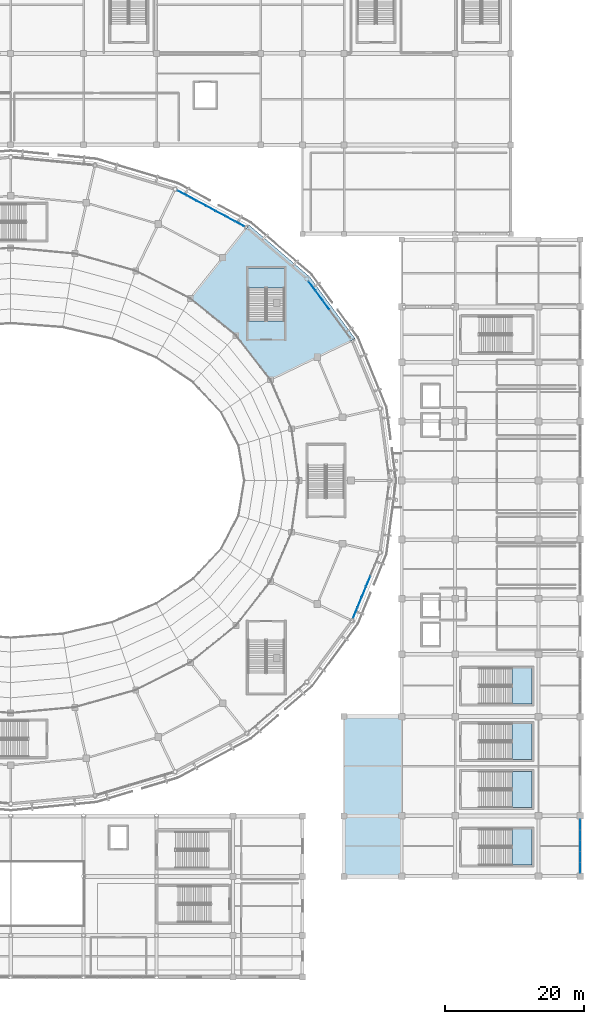
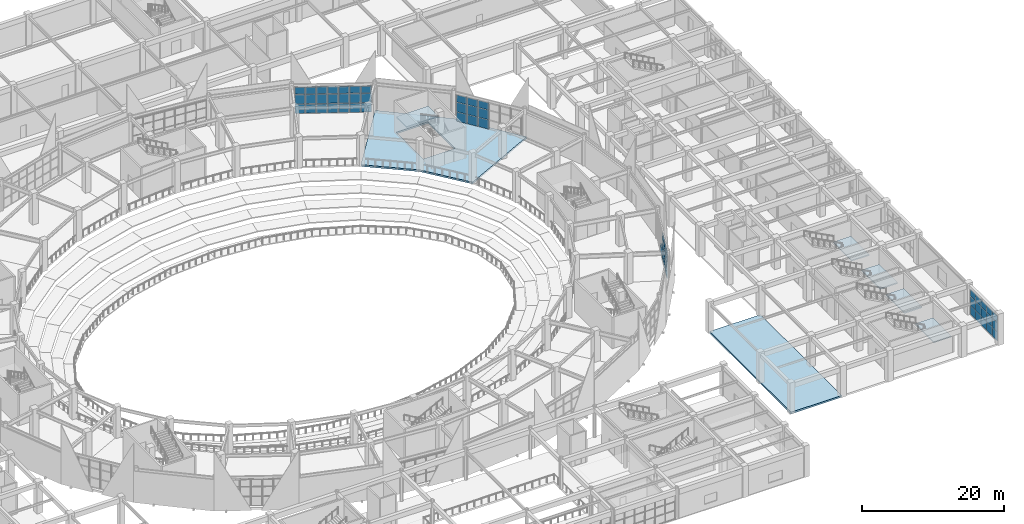
# One storey, part 67 of 120: 55 plates, 7 slabs, 9 elements without a shape of their own.
"""IFC4 building model written with IfcOpenShell, lengths in metres."""

import ifcopenshell
import ifcopenshell.guid

model = None  # the IFC model being written
_history = None  # IfcOwnerHistory: only IFC2X3 demands one
_inside = {}  # id of a spatial element -> (the spatial element, [elements in it])
_under = {}  # id of a project, library or spatial element -> (it, [spatial elements below it])
_declared = {}  # id of a project -> (the project, [libraries it declares])
_typed = {}  # id of a type object -> (the type object, [elements of that type])
_made_of = {}  # id of a material, layer set ... -> (it, [elements and type objects made of it])


def new_model(schema):
    """Start an empty IFC model of exactly this schema.

    Asked for "IFC4X3", IfcOpenShell would pick the latest addendum, in which some entities
    have other attributes; the version numbers below select the first issue.
    IFC2X3 requires an IfcOwnerHistory on every rooted entity: one is made here for all.
    """
    global model, _history
    if schema == "IFC4X3":
        model = ifcopenshell.file(schema_version=(4, 3, 0, 0))
    else:
        model = ifcopenshell.file(schema=schema)
    _inside.clear()
    _under.clear()
    _declared.clear()
    _typed.clear()
    _made_of.clear()
    _history = None
    if model.schema == "IFC2X3":
        org = make("IfcOrganization", Name="unknown")
        user = make(
            "IfcPersonAndOrganization",
            ThePerson=make("IfcPerson", FamilyName="unknown"),
            TheOrganization=org,
        )
        app = make(
            "IfcApplication",
            ApplicationDeveloper=org,
            Version="unknown",
            ApplicationFullName="unknown",
            ApplicationIdentifier="unknown",
        )
        _history = make(
            "IfcOwnerHistory",
            OwningUser=user,
            OwningApplication=app,
            ChangeAction="ADDED",
            CreationDate=0,
        )
    return model


def make(cls, **values):
    """One entity of the class cls with the attributes given. An attribute that is None is left unset."""
    return model.create_entity(
        cls, **{name: value for name, value in values.items() if value is not None}
    )


def rooted(cls, **values):
    """An entity with a GlobalId (a new one), such as an element, a storey or a relation."""
    return make(cls, GlobalId=ifcopenshell.guid.new(), OwnerHistory=_history, **values)


def si_unit(unit_type, name, prefix=None):
    """IfcSIUnit, for example si_unit("LENGTHUNIT", "METRE", prefix="MILLI")."""
    return make("IfcSIUnit", UnitType=unit_type, Prefix=prefix, Name=name)


def assignment(units):
    """IfcUnitAssignment: the units of a project."""
    return None if units is None else make("IfcUnitAssignment", Units=units)


def point(xyz):
    """IfcCartesianPoint."""
    return None if xyz is None else make("IfcCartesianPoint", Coordinates=xyz)


def direction(xyz):
    """IfcDirection."""
    return None if xyz is None else make("IfcDirection", DirectionRatios=xyz)


def frame(location, z_axis=None, x_axis=None):
    """IfcAxis2Placement3D, a coordinate frame: its origin and axes. An axis left out is left unset."""
    return make(
        "IfcAxis2Placement3D",
        Location=point(location),
        Axis=direction(z_axis),
        RefDirection=direction(x_axis),
    )


def frame_2d(location, x_axis=None):
    """IfcAxis2Placement2D, a coordinate frame in the plane: its origin and x axis."""
    return make(
        "IfcAxis2Placement2D", Location=point(location), RefDirection=direction(x_axis)
    )


def origin():
    """The frame at (0, 0, 0) with its axes left unset."""
    return frame((0.0, 0.0, 0.0))


def origin_2d():
    """The frame at (0, 0) in the plane with its x axis left unset."""
    return frame_2d((0.0, 0.0))


def place(relative_to, where):
    """IfcLocalPlacement: puts the frame where relative to a parent placement (None: the world)."""
    return make(
        "IfcLocalPlacement", PlacementRelTo=relative_to, RelativePlacement=where
    )


def context(
    kind, dimensions, precision=None, world=None, true_north=None, identifier=None
):
    """IfcGeometricRepresentationContext, for example the 3D "Model" context."""
    return make(
        "IfcGeometricRepresentationContext",
        ContextIdentifier=identifier,
        ContextType=kind,
        CoordinateSpaceDimension=dimensions,
        Precision=precision,
        WorldCoordinateSystem=world,
        TrueNorth=true_north,
    )


def subcontext(parent, identifier, kind, view, scale=None):
    """IfcGeometricRepresentationSubContext, for example "Body" below "Model"."""
    return make(
        "IfcGeometricRepresentationSubContext",
        ContextIdentifier=identifier,
        ContextType=kind,
        ParentContext=parent,
        TargetScale=scale,
        TargetView=view,
    )


def project(units=None, contexts=None):
    """IfcProject with its units and contexts."""
    return rooted(
        "IfcProject",
        Name="project",
        RepresentationContexts=contexts,
        UnitsInContext=assignment(units),
    )


def spatial(cls, under=None, at=None, **own):
    """A site, building, storey or space (cls), placed at a placement, below another one or the project."""
    s = rooted(cls, ObjectPlacement=at, **own)
    if under is not None:
        _under.setdefault(under.id(), (under, []))[1].append(s)
    return s


def polyline(points):
    """IfcPolyline through the points."""
    return make("IfcPolyline", Points=[point(p) for p in points])


def profile(cls, at=None, kind="AREA", **sizes):
    """A parametric profile (cls). Its sizes go by their IFC names, for example OverallWidth=200.0."""
    return make(cls, ProfileType=kind, Position=at, **sizes)


def rectangle(**sizes):
    """IfcRectangleProfileDef."""
    return profile("IfcRectangleProfileDef", **sizes)


def outline(outer, holes=None, kind="AREA"):
    """IfcArbitraryClosedProfileDef: a profile drawn as a closed curve; with holes, ...WithVoids."""
    if holes is None:
        return make("IfcArbitraryClosedProfileDef", ProfileType=kind, OuterCurve=outer)
    return make(
        "IfcArbitraryProfileDefWithVoids",
        ProfileType=kind,
        OuterCurve=outer,
        InnerCurves=holes,
    )


def extrude(swept, where, along, depth):
    """IfcExtrudedAreaSolid: the profile swept, set in the frame where, extruded along a direction by depth."""
    return make(
        "IfcExtrudedAreaSolid",
        SweptArea=swept,
        Position=where,
        ExtrudedDirection=direction(along),
        Depth=depth,
    )


def shape(context_of_items, identifier, shape_type, items):
    """IfcShapeRepresentation: the items that make up one representation, for example the "Body"."""
    return make(
        "IfcShapeRepresentation",
        ContextOfItems=context_of_items,
        RepresentationIdentifier=identifier,
        RepresentationType=shape_type,
        Items=items,
    )


def material(Name=None, Category=None):
    """IfcMaterial."""
    return make("IfcMaterial", Name=Name, Category=Category)


def layer(
    of_material, thickness, ventilated=None, Name=None, Category=None, Priority=None
):
    """IfcMaterialLayer: one layer of a wall or slab, of a material (None: an air gap)."""
    return make(
        "IfcMaterialLayer",
        Material=of_material,
        LayerThickness=thickness,
        IsVentilated=ventilated,
        Name=Name,
        Category=Category,
        Priority=Priority,
    )


def layer_set(layers, Name=None):
    """IfcMaterialLayerSet."""
    return make("IfcMaterialLayerSet", MaterialLayers=layers, LayerSetName=Name)


def made_of(thing, what):
    """Note that an element or type object is made of a material, layer set ...; save() writes the relation."""
    if what is not None:
        _made_of.setdefault(what.id(), (what, []))[1].append(thing)
    return thing


def type_object(cls, material=None, **own):
    """A type object (cls), such as IfcWallType, which elements share."""
    return made_of(rooted(cls, **own), material)


def element(
    cls,
    number,
    at=None,
    inside=None,
    cuts=None,
    type_object=None,
    material=None,
    context=None,
    identifier="Body",
    shape_type=None,
    held_by="IfcProductDefinitionShape",
    body=None,
    shapes=None,
    **own,
):
    """One element of the class cls, such as IfcWall. Its Tag is "e" and its number.

    at: its placement. inside: the storey or other place that contains it. cuts: it is an
    opening in that element (IfcRelVoidsElement). A single representation is given by context,
    identifier, shape_type and body (its items); several are given by shapes. held_by: the class
    of the entity that holds the representations. save() writes the other relations.
    """
    e = rooted(cls, Tag="e%d" % number, ObjectPlacement=at, **own)
    if body is not None:
        shapes = [shape(context, identifier, shape_type, body)]
    if shapes is not None:
        e.Representation = make(held_by, Representations=shapes)
    if inside is not None:
        _inside.setdefault(inside.id(), (inside, []))[1].append(e)
    if cuts is not None:
        rooted(
            "IfcRelVoidsElement", RelatingBuildingElement=cuts, RelatedOpeningElement=e
        )
    if type_object is not None:
        _typed.setdefault(type_object.id(), (type_object, []))[1].append(e)
    return made_of(e, material)


def aggregate(whole, parts):
    """IfcRelAggregates: a whole, such as a stair, and the parts it consists of."""
    return rooted("IfcRelAggregates", RelatingObject=whole, RelatedObjects=parts)


def save(model, path):
    """Write the relations noted so far, then the file.

    IfcRelAggregates (storeys below a building ...), IfcRelContainedInSpatialStructure (elements
    in a storey), IfcRelDefinesByType, IfcRelAssociatesMaterial and IfcRelDeclares: one each for
    every whole, place, type object, material and project.
    """
    for whole, parts in _under.values():
        aggregate(whole, parts)
    for where, things in _inside.values():
        rooted(
            "IfcRelContainedInSpatialStructure",
            RelatedElements=things,
            RelatingStructure=where,
        )
    for kind, things in _typed.values():
        rooted("IfcRelDefinesByType", RelatedObjects=things, RelatingType=kind)
    for what, things in _made_of.values():
        rooted("IfcRelAssociatesMaterial", RelatedObjects=things, RelatingMaterial=what)
    for by, libraries in _declared.values():
        rooted("IfcRelDeclares", RelatingContext=by, RelatedDefinitions=libraries)
    model.write(path)


model = new_model("IFC4")

# Units and contexts
model_context = context("Model", 3, precision=1e-05, world=origin(), true_north=direction((0.0, 1.0)))
body_context = subcontext(model_context, "Body", "Model", "MODEL_VIEW")
ifc_project = project(units=[si_unit("LENGTHUNIT", "METRE"), si_unit("AREAUNIT", "SQUARE_METRE"), si_unit("VOLUMEUNIT", "CUBIC_METRE"), si_unit("PLANEANGLEUNIT", "RADIAN"), si_unit("MASSUNIT", "GRAM", prefix="KILO")], contexts=[model_context])

# Site, building, storey
site_placement = place(None, origin())
site = spatial("IfcSite", under=ifc_project, at=site_placement, CompositionType="ELEMENT")
building_placement = place(site_placement, origin())
building = spatial("IfcBuilding", under=site, at=building_placement, Name="Cuetzalor Civic Arena", CompositionType="ELEMENT")
storey_placement = place(building_placement, frame((0.0, 0.0, 6.0)))
storey = spatial("IfcBuildingStorey", under=building, at=storey_placement, Name="L01", CompositionType="ELEMENT", Elevation=6.0)

# Curtain wall, plates
ifc_material_1 = material(Name="Anodised dark bronze aluminium and low-E solar glass", Category="aluminium")
curtain_wall_type_1 = type_object("IfcCurtainWallType", Name="UnitisedCW_10150x4650", PredefinedType="USERDEFINED", material=ifc_material_1)
curtain_wall_1_placement = place(storey_placement, origin())
curtain_wall_1 = element("IfcCurtainWall", 1, at=curtain_wall_1_placement, inside=storey, type_object=curtain_wall_type_1, Name="Drum Triangle Foyer Curtain Wall L01-021", ObjectType="UNITISED CURTAIN WALL", PredefinedType="USERDEFINED")
ifc_material_2 = material(Name="Acoustic laminated solar control glass", Category="glass")
ifc_layer_1 = layer(ifc_material_2, 0.0439453125)
ifc_layer_set_1 = layer_set([ifc_layer_1], Name="Acoustic laminated solar control glass")
plate_type = type_object("IfcPlateType", Name="AcousticTripleGlazedPanel_44", PredefinedType="CURTAIN_PANEL", material=ifc_layer_set_1)
plate_1_placement = place(storey_placement, frame((43.402587890625, 27.999755859375, 0.06982421875), z_axis=(0.0, 0.0, 1.0), x_axis=(0.59292931222, -0.805254513002, 0.0)))
plate_1 = element("IfcPlate", 2, at=plate_1_placement, type_object=plate_type, Name="CW-06 panel 1.1", PredefinedType="CURTAIN_PANEL", context=body_context, shape_type="SweptSolid", body=[
    extrude(rectangle(XDim=1.585693359375, YDim=0.0439453125, at=origin_2d()), origin(), (0.0, 0.0, 1.0), 1.570068359375),
])
plate_2_placement = place(storey_placement, frame((43.402587890625, 27.999755859375, 1.7099609375), z_axis=(0.0, 0.0, 1.0), x_axis=(0.59292931222, -0.805254513002, 0.0)))
plate_2 = element("IfcPlate", 3, at=plate_2_placement, type_object=plate_type, Name="CW-06 panel 1.2", PredefinedType="CURTAIN_PANEL", context=body_context, shape_type="SweptSolid", body=[
    extrude(rectangle(XDim=1.585693359375, YDim=0.0439453125, at=origin_2d()), origin(), (0.0, 0.0, 1.0), 1.60498046875),
])
plate_3_placement = place(storey_placement, frame((43.402587890625, 27.999755859375, 3.384765625), z_axis=(0.0, 0.0, 1.0), x_axis=(0.59292931222, -0.805254513002, 0.0)))
plate_3 = element("IfcPlate", 4, at=plate_3_placement, type_object=plate_type, Name="CW-06 panel 1.3", PredefinedType="CURTAIN_PANEL", context=body_context, shape_type="SweptSolid", body=[
    extrude(rectangle(XDim=1.585693359375, YDim=0.0439453125, at=origin_2d()), origin(), (0.0, 0.0, 1.0), 1.197998046875),
])
plate_4_placement = place(storey_placement, frame((44.394775390625, 26.652587890625, 0.06982421875), z_axis=(0.0, 0.0, 1.0), x_axis=(0.59292931222, -0.805254513002, 0.0)))
plate_4 = element("IfcPlate", 5, at=plate_4_placement, type_object=plate_type, Name="CW-06 panel 2.1", PredefinedType="CURTAIN_PANEL", context=body_context, shape_type="SweptSolid", body=[
    extrude(rectangle(XDim=1.62060546875, YDim=0.0439453125, at=origin_2d()), origin(), (0.0, 0.0, 1.0), 1.570068359375),
])
plate_5_placement = place(storey_placement, frame((44.394775390625, 26.652587890625, 1.7099609375), z_axis=(0.0, 0.0, 1.0), x_axis=(0.59292931222, -0.805254513002, 0.0)))
plate_5 = element("IfcPlate", 6, at=plate_5_placement, type_object=plate_type, Name="CW-06 panel 2.2", PredefinedType="CURTAIN_PANEL", context=body_context, shape_type="SweptSolid", body=[
    extrude(rectangle(XDim=1.62060546875, YDim=0.0439453125, at=origin_2d()), origin(), (0.0, 0.0, 1.0), 1.60498046875),
])
plate_6_placement = place(storey_placement, frame((44.394775390625, 26.652587890625, 3.384765625), z_axis=(0.0, 0.0, 1.0), x_axis=(0.59292931222, -0.805254513002, 0.0)))
plate_6 = element("IfcPlate", 7, at=plate_6_placement, type_object=plate_type, Name="CW-06 panel 2.3", PredefinedType="CURTAIN_PANEL", context=body_context, shape_type="SweptSolid", body=[
    extrude(rectangle(XDim=1.62060546875, YDim=0.0439453125, at=origin_2d()), origin(), (0.0, 0.0, 1.0), 1.197998046875),
])
plate_7_placement = place(storey_placement, frame((45.397216796875, 25.291015625, 0.06982421875), z_axis=(0.0, 0.0, 1.0), x_axis=(0.59292931222, -0.805254513002, 0.0)))
plate_7 = element("IfcPlate", 8, at=plate_7_placement, type_object=plate_type, Name="CW-06 panel 3.1", PredefinedType="CURTAIN_PANEL", context=body_context, shape_type="SweptSolid", body=[
    extrude(rectangle(XDim=1.62060546875, YDim=0.0439453125, at=origin_2d()), origin(), (0.0, 0.0, 1.0), 1.570068359375),
])
plate_8_placement = place(storey_placement, frame((45.397216796875, 25.291015625, 1.7099609375), z_axis=(0.0, 0.0, 1.0), x_axis=(0.59292931222, -0.805254513002, 0.0)))
plate_8 = element("IfcPlate", 9, at=plate_8_placement, type_object=plate_type, Name="CW-06 panel 3.2", PredefinedType="CURTAIN_PANEL", context=body_context, shape_type="SweptSolid", body=[
    extrude(rectangle(XDim=1.62060546875, YDim=0.0439453125, at=origin_2d()), origin(), (0.0, 0.0, 1.0), 1.60498046875),
])
plate_9_placement = place(storey_placement, frame((45.397216796875, 25.291015625, 3.384765625), z_axis=(0.0, 0.0, 1.0), x_axis=(0.59292931222, -0.805254513002, 0.0)))
plate_9 = element("IfcPlate", 10, at=plate_9_placement, type_object=plate_type, Name="CW-06 panel 3.3", PredefinedType="CURTAIN_PANEL", context=body_context, shape_type="SweptSolid", body=[
    extrude(rectangle(XDim=1.62060546875, YDim=0.0439453125, at=origin_2d()), origin(), (0.0, 0.0, 1.0), 1.197998046875),
])
aggregate(curtain_wall_1, [plate_1, plate_2, plate_3, plate_4, plate_5, plate_6, plate_7, plate_8, plate_9])

ifc_material_3 = material(Name="Anodised dark bronze aluminium and low-E solar glass", Category="aluminium")
curtain_wall_type_2 = type_object("IfcCurtainWallType", Name="UnitisedCW_10950x4650", PredefinedType="USERDEFINED", material=ifc_material_3)
curtain_wall_2_placement = place(storey_placement, origin())
curtain_wall_2 = element("IfcCurtainWall", 11, at=curtain_wall_2_placement, inside=storey, type_object=curtain_wall_type_2, Name="Drum Triangle Foyer Curtain Wall L01-022", ObjectType="UNITISED CURTAIN WALL", PredefinedType="USERDEFINED")
plate_10_placement = place(storey_placement, frame((24.720947265625, 41.375732421875, 0.06982421875), z_axis=(0.0, 0.0, 1.0), x_axis=(0.881306344124, -0.472545371163, 0.0)))
plate_10 = element("IfcPlate", 12, at=plate_10_placement, type_object=plate_type, Name="CW-07 panel 1.1", PredefinedType="CURTAIN_PANEL", context=body_context, shape_type="SweptSolid", body=[
    extrude(rectangle(XDim=1.458740234375, YDim=0.0439453125, at=origin_2d()), origin(), (0.0, 0.0, 1.0), 1.570068359375),
])
plate_11_placement = place(storey_placement, frame((24.720947265625, 41.375732421875, 1.7099609375), z_axis=(0.0, 0.0, 1.0), x_axis=(0.881306344124, -0.472545371163, 0.0)))
plate_11 = element("IfcPlate", 13, at=plate_11_placement, type_object=plate_type, Name="CW-07 panel 1.2", PredefinedType="CURTAIN_PANEL", context=body_context, shape_type="SweptSolid", body=[
    extrude(rectangle(XDim=1.458740234375, YDim=0.0439453125, at=origin_2d()), origin(), (0.0, 0.0, 1.0), 1.60498046875),
])
plate_12_placement = place(storey_placement, frame((24.720947265625, 41.375732421875, 3.384765625), z_axis=(0.0, 0.0, 1.0), x_axis=(0.881306344124, -0.472545371163, 0.0)))
plate_12 = element("IfcPlate", 14, at=plate_12_placement, type_object=plate_type, Name="CW-07 panel 1.3", PredefinedType="CURTAIN_PANEL", context=body_context, shape_type="SweptSolid", body=[
    extrude(rectangle(XDim=1.458740234375, YDim=0.0439453125, at=origin_2d()), origin(), (0.0, 0.0, 1.0), 1.197998046875),
])
plate_13_placement = place(storey_placement, frame((26.08349609375, 40.64501953125, 0.06982421875), z_axis=(0.0, 0.0, 1.0), x_axis=(0.881306344124, -0.472545371163, 0.0)))
plate_13 = element("IfcPlate", 15, at=plate_13_placement, type_object=plate_type, Name="CW-07 panel 2.1", PredefinedType="CURTAIN_PANEL", context=body_context, shape_type="SweptSolid", body=[
    extrude(rectangle(XDim=1.49365234375, YDim=0.0439453125, at=origin_2d()), origin(), (0.0, 0.0, 1.0), 1.570068359375),
])
plate_14_placement = place(storey_placement, frame((26.08349609375, 40.64501953125, 1.7099609375), z_axis=(0.0, 0.0, 1.0), x_axis=(0.881306344124, -0.472545371163, 0.0)))
plate_14 = element("IfcPlate", 16, at=plate_14_placement, type_object=plate_type, Name="CW-07 panel 2.2", PredefinedType="CURTAIN_PANEL", context=body_context, shape_type="SweptSolid", body=[
    extrude(rectangle(XDim=1.49365234375, YDim=0.0439453125, at=origin_2d()), origin(), (0.0, 0.0, 1.0), 1.60498046875),
])
plate_15_placement = place(storey_placement, frame((26.08349609375, 40.64501953125, 3.384765625), z_axis=(0.0, 0.0, 1.0), x_axis=(0.881306344124, -0.472545371163, 0.0)))
plate_15 = element("IfcPlate", 17, at=plate_15_placement, type_object=plate_type, Name="CW-07 panel 2.3", PredefinedType="CURTAIN_PANEL", context=body_context, shape_type="SweptSolid", body=[
    extrude(rectangle(XDim=1.49365234375, YDim=0.0439453125, at=origin_2d()), origin(), (0.0, 0.0, 1.0), 1.197998046875),
])
plate_16_placement = place(storey_placement, frame((27.461669921875, 39.90625, 0.06982421875), z_axis=(0.0, 0.0, 1.0), x_axis=(0.881306344124, -0.472545371163, 0.0)))
plate_16 = element("IfcPlate", 18, at=plate_16_placement, type_object=plate_type, Name="CW-07 panel 3.1", PredefinedType="CURTAIN_PANEL", context=body_context, shape_type="SweptSolid", body=[
    extrude(rectangle(XDim=1.49365234375, YDim=0.0439453125, at=origin_2d()), origin(), (0.0, 0.0, 1.0), 1.570068359375),
])
plate_17_placement = place(storey_placement, frame((27.461669921875, 39.90625, 1.7099609375), z_axis=(0.0, 0.0, 1.0), x_axis=(0.881306344124, -0.472545371163, 0.0)))
plate_17 = element("IfcPlate", 19, at=plate_17_placement, type_object=plate_type, Name="CW-07 panel 3.2", PredefinedType="CURTAIN_PANEL", context=body_context, shape_type="SweptSolid", body=[
    extrude(rectangle(XDim=1.49365234375, YDim=0.0439453125, at=origin_2d()), origin(), (0.0, 0.0, 1.0), 1.60498046875),
])
plate_18_placement = place(storey_placement, frame((27.461669921875, 39.90625, 3.384765625), z_axis=(0.0, 0.0, 1.0), x_axis=(0.881306344124, -0.472545371163, 0.0)))
plate_18 = element("IfcPlate", 20, at=plate_18_placement, type_object=plate_type, Name="CW-07 panel 3.3", PredefinedType="CURTAIN_PANEL", context=body_context, shape_type="SweptSolid", body=[
    extrude(rectangle(XDim=1.49365234375, YDim=0.0439453125, at=origin_2d()), origin(), (0.0, 0.0, 1.0), 1.197998046875),
])
plate_19_placement = place(storey_placement, frame((28.83984375, 39.167236328125, 0.06982421875), z_axis=(0.0, 0.0, 1.0), x_axis=(0.881306344124, -0.472545371163, 0.0)))
plate_19 = element("IfcPlate", 21, at=plate_19_placement, type_object=plate_type, Name="CW-07 panel 4.1", PredefinedType="CURTAIN_PANEL", context=body_context, shape_type="SweptSolid", body=[
    extrude(rectangle(XDim=1.49365234375, YDim=0.0439453125, at=origin_2d()), origin(), (0.0, 0.0, 1.0), 1.570068359375),
])
plate_20_placement = place(storey_placement, frame((28.83984375, 39.167236328125, 1.7099609375), z_axis=(0.0, 0.0, 1.0), x_axis=(0.881306344124, -0.472545371163, 0.0)))
plate_20 = element("IfcPlate", 22, at=plate_20_placement, type_object=plate_type, Name="CW-07 panel 4.2", PredefinedType="CURTAIN_PANEL", context=body_context, shape_type="SweptSolid", body=[
    extrude(rectangle(XDim=1.49365234375, YDim=0.0439453125, at=origin_2d()), origin(), (0.0, 0.0, 1.0), 1.60498046875),
])
plate_21_placement = place(storey_placement, frame((28.83984375, 39.167236328125, 3.384765625), z_axis=(0.0, 0.0, 1.0), x_axis=(0.881306344124, -0.472545371163, 0.0)))
plate_21 = element("IfcPlate", 23, at=plate_21_placement, type_object=plate_type, Name="CW-07 panel 4.3", PredefinedType="CURTAIN_PANEL", context=body_context, shape_type="SweptSolid", body=[
    extrude(rectangle(XDim=1.49365234375, YDim=0.0439453125, at=origin_2d()), origin(), (0.0, 0.0, 1.0), 1.197998046875),
])
plate_22_placement = place(storey_placement, frame((30.218017578125, 38.42822265625, 0.06982421875), z_axis=(0.0, 0.0, 1.0), x_axis=(0.881306344124, -0.472545371163, 0.0)))
plate_22 = element("IfcPlate", 24, at=plate_22_placement, type_object=plate_type, Name="CW-07 panel 5.1", PredefinedType="CURTAIN_PANEL", context=body_context, shape_type="SweptSolid", body=[
    extrude(rectangle(XDim=1.49365234375, YDim=0.0439453125, at=origin_2d()), origin(), (0.0, 0.0, 1.0), 1.570068359375),
])
plate_23_placement = place(storey_placement, frame((30.218017578125, 38.42822265625, 1.7099609375), z_axis=(0.0, 0.0, 1.0), x_axis=(0.881306344124, -0.472545371163, 0.0)))
plate_23 = element("IfcPlate", 25, at=plate_23_placement, type_object=plate_type, Name="CW-07 panel 5.2", PredefinedType="CURTAIN_PANEL", context=body_context, shape_type="SweptSolid", body=[
    extrude(rectangle(XDim=1.49365234375, YDim=0.0439453125, at=origin_2d()), origin(), (0.0, 0.0, 1.0), 1.60498046875),
])
plate_24_placement = place(storey_placement, frame((30.218017578125, 38.42822265625, 3.384765625), z_axis=(0.0, 0.0, 1.0), x_axis=(0.881306344124, -0.472545371163, 0.0)))
plate_24 = element("IfcPlate", 26, at=plate_24_placement, type_object=plate_type, Name="CW-07 panel 5.3", PredefinedType="CURTAIN_PANEL", context=body_context, shape_type="SweptSolid", body=[
    extrude(rectangle(XDim=1.49365234375, YDim=0.0439453125, at=origin_2d()), origin(), (0.0, 0.0, 1.0), 1.197998046875),
])
plate_25_placement = place(storey_placement, frame((31.59619140625, 37.689208984375, 0.06982421875), z_axis=(0.0, 0.0, 1.0), x_axis=(0.881306344124, -0.472545371163, 0.0)))
plate_25 = element("IfcPlate", 27, at=plate_25_placement, type_object=plate_type, Name="CW-07 panel 6.1", PredefinedType="CURTAIN_PANEL", context=body_context, shape_type="SweptSolid", body=[
    extrude(rectangle(XDim=1.49365234375, YDim=0.0439453125, at=origin_2d()), origin(), (0.0, 0.0, 1.0), 1.570068359375),
])
plate_26_placement = place(storey_placement, frame((31.59619140625, 37.689208984375, 1.7099609375), z_axis=(0.0, 0.0, 1.0), x_axis=(0.881306344124, -0.472545371163, 0.0)))
plate_26 = element("IfcPlate", 28, at=plate_26_placement, type_object=plate_type, Name="CW-07 panel 6.2", PredefinedType="CURTAIN_PANEL", context=body_context, shape_type="SweptSolid", body=[
    extrude(rectangle(XDim=1.49365234375, YDim=0.0439453125, at=origin_2d()), origin(), (0.0, 0.0, 1.0), 1.60498046875),
])
plate_27_placement = place(storey_placement, frame((31.59619140625, 37.689208984375, 3.384765625), z_axis=(0.0, 0.0, 1.0), x_axis=(0.881306344124, -0.472545371163, 0.0)))
plate_27 = element("IfcPlate", 29, at=plate_27_placement, type_object=plate_type, Name="CW-07 panel 6.3", PredefinedType="CURTAIN_PANEL", context=body_context, shape_type="SweptSolid", body=[
    extrude(rectangle(XDim=1.49365234375, YDim=0.0439453125, at=origin_2d()), origin(), (0.0, 0.0, 1.0), 1.197998046875),
])
plate_28_placement = place(storey_placement, frame((32.958984375, 36.958740234375, 0.06982421875), z_axis=(0.0, 0.0, 1.0), x_axis=(0.881306344124, -0.472545371163, 0.0)))
plate_28 = element("IfcPlate", 30, at=plate_28_placement, type_object=plate_type, Name="CW-07 panel 7.1", PredefinedType="CURTAIN_PANEL", context=body_context, shape_type="SweptSolid", body=[
    extrude(rectangle(XDim=1.458740234375, YDim=0.0439453125, at=origin_2d()), origin(), (0.0, 0.0, 1.0), 1.570068359375),
])
plate_29_placement = place(storey_placement, frame((32.958984375, 36.958740234375, 1.7099609375), z_axis=(0.0, 0.0, 1.0), x_axis=(0.881306344124, -0.472545371163, 0.0)))
plate_29 = element("IfcPlate", 31, at=plate_29_placement, type_object=plate_type, Name="CW-07 panel 7.2", PredefinedType="CURTAIN_PANEL", context=body_context, shape_type="SweptSolid", body=[
    extrude(rectangle(XDim=1.458740234375, YDim=0.0439453125, at=origin_2d()), origin(), (0.0, 0.0, 1.0), 1.60498046875),
])
plate_30_placement = place(storey_placement, frame((32.958984375, 36.958740234375, 3.384765625), z_axis=(0.0, 0.0, 1.0), x_axis=(0.881306344124, -0.472545371163, 0.0)))
plate_30 = element("IfcPlate", 32, at=plate_30_placement, type_object=plate_type, Name="CW-07 panel 7.3", PredefinedType="CURTAIN_PANEL", context=body_context, shape_type="SweptSolid", body=[
    extrude(rectangle(XDim=1.458740234375, YDim=0.0439453125, at=origin_2d()), origin(), (0.0, 0.0, 1.0), 1.197998046875),
])
aggregate(curtain_wall_2, [plate_10, plate_11, plate_12, plate_13, plate_14, plate_15, plate_16, plate_17, plate_18, plate_19, plate_20, plate_21, plate_22, plate_23, plate_24, plate_25, plate_26, plate_27, plate_28, plate_29, plate_30])

ifc_material_4 = material(Name="Anodised dark bronze aluminium and low-E solar glass", Category="aluminium")
curtain_wall_type_3 = type_object("IfcCurtainWallType", Name="UnitisedCW_9850x4650", PredefinedType="USERDEFINED", material=ifc_material_4)
curtain_wall_3_placement = place(storey_placement, origin())
curtain_wall_3 = element("IfcCurtainWall", 33, at=curtain_wall_3_placement, inside=storey, type_object=curtain_wall_type_3, Name="Drum Triangle Foyer Curtain Wall L01-032", ObjectType="UNITISED CURTAIN WALL", PredefinedType="USERDEFINED")
plate_31_placement = place(storey_placement, frame((51.477294921875, -14.516357421875, 0.06982421875), z_axis=(0.0, 0.0, 1.0), x_axis=(-0.379391428583, -0.925236263836, 0.0)))
plate_31 = element("IfcPlate", 34, at=plate_31_placement, type_object=plate_type, Name="CW-11 panel 3.1", PredefinedType="CURTAIN_PANEL", context=body_context, shape_type="SweptSolid", body=[
    extrude(rectangle(XDim=1.57568359375, YDim=0.0439453125, at=origin_2d()), origin(), (0.0, 0.0, 1.0), 1.570068359375),
])
plate_32_placement = place(storey_placement, frame((50.85302734375, -16.0390625, 0.06982421875), z_axis=(0.0, 0.0, 1.0), x_axis=(-0.379391428583, -0.925236263836, 0.0)))
plate_32 = element("IfcPlate", 35, at=plate_32_placement, type_object=plate_type, Name="CW-11 panel 4.1", PredefinedType="CURTAIN_PANEL", context=body_context, shape_type="SweptSolid", body=[
    extrude(rectangle(XDim=1.57568359375, YDim=0.0439453125, at=origin_2d()), origin(), (0.0, 0.0, 1.0), 1.570068359375),
])
plate_33_placement = place(storey_placement, frame((50.85302734375, -16.0390625, 1.7099609375), z_axis=(0.0, 0.0, 1.0), x_axis=(-0.379391428583, -0.925236263836, 0.0)))
plate_33 = element("IfcPlate", 36, at=plate_33_placement, type_object=plate_type, Name="CW-11 panel 4.2", PredefinedType="CURTAIN_PANEL", context=body_context, shape_type="SweptSolid", body=[
    extrude(rectangle(XDim=1.57568359375, YDim=0.0439453125, at=origin_2d()), origin(), (0.0, 0.0, 1.0), 1.60498046875),
])
plate_34_placement = place(storey_placement, frame((50.85302734375, -16.0390625, 3.384765625), z_axis=(0.0, 0.0, 1.0), x_axis=(-0.379391428583, -0.925236263836, 0.0)))
plate_34 = element("IfcPlate", 37, at=plate_34_placement, type_object=plate_type, Name="CW-11 panel 4.3", PredefinedType="CURTAIN_PANEL", context=body_context, shape_type="SweptSolid", body=[
    extrude(rectangle(XDim=1.57568359375, YDim=0.0439453125, at=origin_2d()), origin(), (0.0, 0.0, 1.0), 1.197998046875),
])
plate_35_placement = place(storey_placement, frame((50.228515625, -17.561767578125, 0.06982421875), z_axis=(0.0, 0.0, 1.0), x_axis=(-0.379391428583, -0.925236263836, 0.0)))
plate_35 = element("IfcPlate", 38, at=plate_35_placement, type_object=plate_type, Name="CW-11 panel 5.1", PredefinedType="CURTAIN_PANEL", context=body_context, shape_type="SweptSolid", body=[
    extrude(rectangle(XDim=1.57568359375, YDim=0.0439453125, at=origin_2d()), origin(), (0.0, 0.0, 1.0), 1.570068359375),
])
plate_36_placement = place(storey_placement, frame((50.228515625, -17.561767578125, 1.7099609375), z_axis=(0.0, 0.0, 1.0), x_axis=(-0.379391428583, -0.925236263836, 0.0)))
plate_36 = element("IfcPlate", 39, at=plate_36_placement, type_object=plate_type, Name="CW-11 panel 5.2", PredefinedType="CURTAIN_PANEL", context=body_context, shape_type="SweptSolid", body=[
    extrude(rectangle(XDim=1.57568359375, YDim=0.0439453125, at=origin_2d()), origin(), (0.0, 0.0, 1.0), 1.60498046875),
])
plate_37_placement = place(storey_placement, frame((50.228515625, -17.561767578125, 3.384765625), z_axis=(0.0, 0.0, 1.0), x_axis=(-0.379391428583, -0.925236263836, 0.0)))
plate_37 = element("IfcPlate", 40, at=plate_37_placement, type_object=plate_type, Name="CW-11 panel 5.3", PredefinedType="CURTAIN_PANEL", context=body_context, shape_type="SweptSolid", body=[
    extrude(rectangle(XDim=1.57568359375, YDim=0.0439453125, at=origin_2d()), origin(), (0.0, 0.0, 1.0), 1.197998046875),
])
plate_38_placement = place(storey_placement, frame((49.61083984375, -19.068359375, 0.06982421875), z_axis=(0.0, 0.0, 1.0), x_axis=(-0.379391428583, -0.925236263836, 0.0)))
plate_38 = element("IfcPlate", 41, at=plate_38_placement, type_object=plate_type, Name="CW-11 panel 6.1", PredefinedType="CURTAIN_PANEL", context=body_context, shape_type="SweptSolid", body=[
    extrude(rectangle(XDim=1.540771484375, YDim=0.0439453125, at=origin_2d()), origin(), (0.0, 0.0, 1.0), 1.570068359375),
])
plate_39_placement = place(storey_placement, frame((49.61083984375, -19.068359375, 1.7099609375), z_axis=(0.0, 0.0, 1.0), x_axis=(-0.379391428583, -0.925236263836, 0.0)))
plate_39 = element("IfcPlate", 42, at=plate_39_placement, type_object=plate_type, Name="CW-11 panel 6.2", PredefinedType="CURTAIN_PANEL", context=body_context, shape_type="SweptSolid", body=[
    extrude(rectangle(XDim=1.540771484375, YDim=0.0439453125, at=origin_2d()), origin(), (0.0, 0.0, 1.0), 1.60498046875),
])
plate_40_placement = place(storey_placement, frame((49.61083984375, -19.068359375, 3.384765625), z_axis=(0.0, 0.0, 1.0), x_axis=(-0.379391428583, -0.925236263836, 0.0)))
plate_40 = element("IfcPlate", 43, at=plate_40_placement, type_object=plate_type, Name="CW-11 panel 6.3", PredefinedType="CURTAIN_PANEL", context=body_context, shape_type="SweptSolid", body=[
    extrude(rectangle(XDim=1.540771484375, YDim=0.0439453125, at=origin_2d()), origin(), (0.0, 0.0, 1.0), 1.197998046875),
])
aggregate(curtain_wall_3, [plate_31, plate_32, plate_33, plate_34, plate_35, plate_36, plate_37, plate_38, plate_39, plate_40])

ifc_material_5 = material(Name="Anodised dark bronze aluminium and low-E solar glass", Category="aluminium")
curtain_wall_type_4 = type_object("IfcCurtainWallType", Name="UnitisedCW_7800x4450", PredefinedType="USERDEFINED", material=ifc_material_5)
curtain_wall_4_placement = place(storey_placement, origin())
curtain_wall_4 = element("IfcCurtainWall", 44, at=curtain_wall_4_placement, inside=storey, type_object=curtain_wall_type_4, Name="V4E Suite Viewing Curtain Wall L01-135", ObjectType="UNITISED CURTAIN WALL", PredefinedType="USERDEFINED")
plate_41_placement = place(storey_placement, frame((82.0, -49.5517578125, 0.06494140625), z_axis=(0.0, 0.0, 1.0), x_axis=(0.0, -1.0, 0.0)))
plate_41 = element("IfcPlate", 45, at=plate_41_placement, type_object=plate_type, Name="CW-36 panel 1.1", PredefinedType="CURTAIN_PANEL", context=body_context, shape_type="SweptSolid", body=[
    extrude(rectangle(XDim=1.459716796875, YDim=0.0439453125, at=origin_2d()), origin(), (0.0, 0.0, 1.0), 1.508544921875),
])
plate_42_placement = place(storey_placement, frame((82.0, -49.5517578125, 1.638427734375), z_axis=(0.0, 0.0, 1.0), x_axis=(0.0, -1.0, 0.0)))
plate_42 = element("IfcPlate", 46, at=plate_42_placement, type_object=plate_type, Name="CW-36 panel 1.2", PredefinedType="CURTAIN_PANEL", context=body_context, shape_type="SweptSolid", body=[
    extrude(rectangle(XDim=1.459716796875, YDim=0.0439453125, at=origin_2d()), origin(), (0.0, 0.0, 1.0), 1.5400390625),
])
plate_43_placement = place(storey_placement, frame((82.0, -49.5517578125, 3.24365234375), z_axis=(0.0, 0.0, 1.0), x_axis=(0.0, -1.0, 0.0)))
plate_43 = element("IfcPlate", 47, at=plate_43_placement, type_object=plate_type, Name="CW-36 panel 1.3", PredefinedType="CURTAIN_PANEL", context=body_context, shape_type="SweptSolid", body=[
    extrude(rectangle(XDim=1.459716796875, YDim=0.0439453125, at=origin_2d()), origin(), (0.0, 0.0, 1.0), 1.151611328125),
])
plate_44_placement = place(storey_placement, frame((82.0, -51.0927734375, 0.06494140625), z_axis=(0.0, 0.0, 1.0), x_axis=(0.0, -1.0, 0.0)))
plate_44 = element("IfcPlate", 48, at=plate_44_placement, type_object=plate_type, Name="CW-36 panel 2.1", PredefinedType="CURTAIN_PANEL", context=body_context, shape_type="SweptSolid", body=[
    extrude(rectangle(XDim=1.4921875, YDim=0.0439453125, at=origin_2d()), origin(), (0.0, 0.0, 1.0), 1.508544921875),
])
plate_45_placement = place(storey_placement, frame((82.0, -51.0927734375, 1.638427734375), z_axis=(0.0, 0.0, 1.0), x_axis=(0.0, -1.0, 0.0)))
plate_45 = element("IfcPlate", 49, at=plate_45_placement, type_object=plate_type, Name="CW-36 panel 2.2", PredefinedType="CURTAIN_PANEL", context=body_context, shape_type="SweptSolid", body=[
    extrude(rectangle(XDim=1.4921875, YDim=0.0439453125, at=origin_2d()), origin(), (0.0, 0.0, 1.0), 1.5400390625),
])
plate_46_placement = place(storey_placement, frame((82.0, -51.0927734375, 3.24365234375), z_axis=(0.0, 0.0, 1.0), x_axis=(0.0, -1.0, 0.0)))
plate_46 = element("IfcPlate", 50, at=plate_46_placement, type_object=plate_type, Name="CW-36 panel 2.3", PredefinedType="CURTAIN_PANEL", context=body_context, shape_type="SweptSolid", body=[
    extrude(rectangle(XDim=1.4921875, YDim=0.0439453125, at=origin_2d()), origin(), (0.0, 0.0, 1.0), 1.151611328125),
])
plate_47_placement = place(storey_placement, frame((82.0, -52.64990234375, 0.06494140625), z_axis=(0.0, 0.0, 1.0), x_axis=(0.0, -1.0, 0.0)))
plate_47 = element("IfcPlate", 51, at=plate_47_placement, type_object=plate_type, Name="CW-36 panel 3.1", PredefinedType="CURTAIN_PANEL", context=body_context, shape_type="SweptSolid", body=[
    extrude(rectangle(XDim=1.4921875, YDim=0.0439453125, at=origin_2d()), origin(), (0.0, 0.0, 1.0), 1.508544921875),
])
plate_48_placement = place(storey_placement, frame((82.0, -52.64990234375, 1.638427734375), z_axis=(0.0, 0.0, 1.0), x_axis=(0.0, -1.0, 0.0)))
plate_48 = element("IfcPlate", 52, at=plate_48_placement, type_object=plate_type, Name="CW-36 panel 3.2", PredefinedType="CURTAIN_PANEL", context=body_context, shape_type="SweptSolid", body=[
    extrude(rectangle(XDim=1.4921875, YDim=0.0439453125, at=origin_2d()), origin(), (0.0, 0.0, 1.0), 1.5400390625),
])
plate_49_placement = place(storey_placement, frame((82.0, -52.64990234375, 3.24365234375), z_axis=(0.0, 0.0, 1.0), x_axis=(0.0, -1.0, 0.0)))
plate_49 = element("IfcPlate", 53, at=plate_49_placement, type_object=plate_type, Name="CW-36 panel 3.3", PredefinedType="CURTAIN_PANEL", context=body_context, shape_type="SweptSolid", body=[
    extrude(rectangle(XDim=1.4921875, YDim=0.0439453125, at=origin_2d()), origin(), (0.0, 0.0, 1.0), 1.151611328125),
])
plate_50_placement = place(storey_placement, frame((82.0, -54.207275390625, 0.06494140625), z_axis=(0.0, 0.0, 1.0), x_axis=(0.0, -1.0, 0.0)))
plate_50 = element("IfcPlate", 54, at=plate_50_placement, type_object=plate_type, Name="CW-36 panel 4.1", PredefinedType="CURTAIN_PANEL", context=body_context, shape_type="SweptSolid", body=[
    extrude(rectangle(XDim=1.4921875, YDim=0.0439453125, at=origin_2d()), origin(), (0.0, 0.0, 1.0), 1.508544921875),
])
plate_51_placement = place(storey_placement, frame((82.0, -54.207275390625, 1.638427734375), z_axis=(0.0, 0.0, 1.0), x_axis=(0.0, -1.0, 0.0)))
plate_51 = element("IfcPlate", 55, at=plate_51_placement, type_object=plate_type, Name="CW-36 panel 4.2", PredefinedType="CURTAIN_PANEL", context=body_context, shape_type="SweptSolid", body=[
    extrude(rectangle(XDim=1.4921875, YDim=0.0439453125, at=origin_2d()), origin(), (0.0, 0.0, 1.0), 1.5400390625),
])
plate_52_placement = place(storey_placement, frame((82.0, -54.207275390625, 3.24365234375), z_axis=(0.0, 0.0, 1.0), x_axis=(0.0, -1.0, 0.0)))
plate_52 = element("IfcPlate", 56, at=plate_52_placement, type_object=plate_type, Name="CW-36 panel 4.3", PredefinedType="CURTAIN_PANEL", context=body_context, shape_type="SweptSolid", body=[
    extrude(rectangle(XDim=1.4921875, YDim=0.0439453125, at=origin_2d()), origin(), (0.0, 0.0, 1.0), 1.151611328125),
])
plate_53_placement = place(storey_placement, frame((82.0, -55.748046875, 0.06494140625), z_axis=(0.0, 0.0, 1.0), x_axis=(0.0, -1.0, 0.0)))
plate_53 = element("IfcPlate", 57, at=plate_53_placement, type_object=plate_type, Name="CW-36 panel 5.1", PredefinedType="CURTAIN_PANEL", context=body_context, shape_type="SweptSolid", body=[
    extrude(rectangle(XDim=1.459716796875, YDim=0.0439453125, at=origin_2d()), origin(), (0.0, 0.0, 1.0), 1.508544921875),
])
plate_54_placement = place(storey_placement, frame((82.0, -55.748046875, 1.638427734375), z_axis=(0.0, 0.0, 1.0), x_axis=(0.0, -1.0, 0.0)))
plate_54 = element("IfcPlate", 58, at=plate_54_placement, type_object=plate_type, Name="CW-36 panel 5.2", PredefinedType="CURTAIN_PANEL", context=body_context, shape_type="SweptSolid", body=[
    extrude(rectangle(XDim=1.459716796875, YDim=0.0439453125, at=origin_2d()), origin(), (0.0, 0.0, 1.0), 1.5400390625),
])
plate_55_placement = place(storey_placement, frame((82.0, -55.748046875, 3.24365234375), z_axis=(0.0, 0.0, 1.0), x_axis=(0.0, -1.0, 0.0)))
plate_55 = element("IfcPlate", 59, at=plate_55_placement, type_object=plate_type, Name="CW-36 panel 5.3", PredefinedType="CURTAIN_PANEL", context=body_context, shape_type="SweptSolid", body=[
    extrude(rectangle(XDim=1.459716796875, YDim=0.0439453125, at=origin_2d()), origin(), (0.0, 0.0, 1.0), 1.151611328125),
])
aggregate(curtain_wall_4, [plate_41, plate_42, plate_43, plate_44, plate_45, plate_46, plate_47, plate_48, plate_49, plate_50, plate_51, plate_52, plate_53, plate_54, plate_55])

# Slabs
ifc_material_6 = material(Name="Concrete C35/45", Category="concrete")
ifc_layer_2 = layer(ifc_material_6, 0.300048828125)
ifc_layer_set_2 = layer_set([ifc_layer_2], Name="Concrete C35/45")
slab_type_1 = type_object("IfcSlabType", Name="ConcourseFloorSlab_300", PredefinedType="FLOOR", material=ifc_layer_set_2)
slab_1_placement = place(storey_placement, frame((0.0, 0.0, -0.300048828125)))
element("IfcSlab", 60, at=slab_1_placement, inside=storey, type_object=slab_type_1, Name="Arena Concourse Sector Slab L01-02", PredefinedType="FLOOR", context=body_context, shape_type="SweptSolid", body=[
    extrude(outline(polyline([(32.446044921875, 20.886962890625), (25.874755859375, 26.19140625), (34.322998046875, 36.78515625), (43.039794921875, 29.335205078125), (49.598388671875, 20.414306640625), (37.39013671875, 14.53515625), (32.446044921875, 20.886962890625)]), holes=[polyline([(39.39990234375, 23.0), (39.39990234375, 30.60009765625), (34.199951171875, 30.60009765625), (34.199951171875, 23.0), (39.39990234375, 23.0)])]), origin(), (0.0, 0.0, 1.0), 0.300048828125),
])
slab_2_placement = place(storey_placement, frame((0.0, 0.0, -0.300048828125)))
element("IfcSlab", 61, at=slab_2_placement, inside=storey, type_object=slab_type_1, Name="V4E Return Floor Slab L01", PredefinedType="FLOOR", context=body_context, shape_type="SweptSolid", body=[
    extrude(outline(polyline([(48.0, -57.0), (56.300048828125, -57.0), (56.300048828125, -34.0), (48.0, -34.0), (48.0, -57.0)])), origin(), (0.0, 0.0, 1.0), 0.300048828125),
])

# Stair, slab
ifc_material_7 = material(Name="Precast concrete C40/50", Category="concrete")
stair_type = type_object("IfcStairType", Name="EnclosedExitStair_H540", PredefinedType="HALF_TURN_STAIR", material=ifc_material_7)
stair_1_placement = place(storey_placement, origin())
stair_1 = element("IfcStair", 62, at=stair_1_placement, inside=storey, type_object=stair_type, Name="L01 Enclosed Exit Stair ST-02", PredefinedType="HALF_TURN_STAIR")
ifc_material_8 = material(Name="Concrete C40/50", Category="concrete")
ifc_layer_3 = layer(ifc_material_8, 0.199951171875)
ifc_layer_set_3 = layer_set([ifc_layer_3], Name="Concrete C40/50")
slab_type_2 = type_object("IfcSlabType", Name="StairHalfLandingSlab_200", PredefinedType="LANDING", material=ifc_layer_set_3)
slab_3_placement = place(storey_placement, frame((0.0, 0.0, 2.5)))
slab_3 = element("IfcSlab", 63, at=slab_3_placement, type_object=slab_type_2, Name="ST-02 landing 1", PredefinedType="LANDING", context=body_context, shape_type="SweptSolid", body=[
    extrude(outline(polyline([(39.39990234375, 27.719970703125), (39.39990234375, 30.60009765625), (34.199951171875, 30.60009765625), (34.199951171875, 27.719970703125), (39.39990234375, 27.719970703125)])), origin(), (0.0, 0.0, 1.0), 0.199951171875),
])
aggregate(stair_1, [slab_3])

stair_2_placement = place(storey_placement, origin())
stair_2 = element("IfcStair", 64, at=stair_2_placement, inside=storey, type_object=stair_type, Name="L01 Enclosed Exit Stair ST-18", PredefinedType="HALF_TURN_STAIR")
slab_4_placement = place(storey_placement, frame((0.0, 0.0, 2.5)))
slab_4 = element("IfcSlab", 65, at=slab_4_placement, type_object=slab_type_2, Name="ST-18 landing 1", PredefinedType="LANDING", context=body_context, shape_type="SweptSolid", body=[
    extrude(outline(polyline([(72.219970703125, -55.39990234375), (75.10009765625, -55.39990234375), (75.10009765625, -50.199951171875), (72.219970703125, -50.199951171875), (72.219970703125, -55.39990234375)])), origin(), (0.0, 0.0, 1.0), 0.199951171875),
])
aggregate(stair_2, [slab_4])

stair_3_placement = place(storey_placement, origin())
stair_3 = element("IfcStair", 66, at=stair_3_placement, inside=storey, type_object=stair_type, Name="L01 Enclosed Exit Stair ST-19", PredefinedType="HALF_TURN_STAIR")
slab_5_placement = place(storey_placement, frame((0.0, 0.0, 2.5)))
slab_5 = element("IfcSlab", 67, at=slab_5_placement, type_object=slab_type_2, Name="ST-19 landing 1", PredefinedType="LANDING", context=body_context, shape_type="SweptSolid", body=[
    extrude(outline(polyline([(72.219970703125, -47.10009765625), (75.10009765625, -47.10009765625), (75.10009765625, -41.89990234375), (72.219970703125, -41.89990234375), (72.219970703125, -47.10009765625)])), origin(), (0.0, 0.0, 1.0), 0.199951171875),
])
aggregate(stair_3, [slab_5])

stair_4_placement = place(storey_placement, origin())
stair_4 = element("IfcStair", 68, at=stair_4_placement, inside=storey, type_object=stair_type, Name="L01 Enclosed Exit Stair ST-20", PredefinedType="HALF_TURN_STAIR")
slab_6_placement = place(storey_placement, frame((0.0, 0.0, 2.5)))
slab_6 = element("IfcSlab", 69, at=slab_6_placement, type_object=slab_type_2, Name="ST-20 landing 1", PredefinedType="LANDING", context=body_context, shape_type="SweptSolid", body=[
    extrude(outline(polyline([(72.219970703125, -40.199951171875), (75.10009765625, -40.199951171875), (75.10009765625, -35.0), (72.219970703125, -35.0), (72.219970703125, -40.199951171875)])), origin(), (0.0, 0.0, 1.0), 0.199951171875),
])
aggregate(stair_4, [slab_6])

stair_5_placement = place(storey_placement, origin())
stair_5 = element("IfcStair", 70, at=stair_5_placement, inside=storey, type_object=stair_type, Name="L01 Enclosed Exit Stair ST-21", PredefinedType="HALF_TURN_STAIR")
slab_7_placement = place(storey_placement, frame((0.0, 0.0, 2.5)))
slab_7 = element("IfcSlab", 71, at=slab_7_placement, type_object=slab_type_2, Name="ST-21 landing 1", PredefinedType="LANDING", context=body_context, shape_type="SweptSolid", body=[
    extrude(outline(polyline([(72.219970703125, -32.199951171875), (75.10009765625, -32.199951171875), (75.10009765625, -27.0), (72.219970703125, -27.0), (72.219970703125, -32.199951171875)])), origin(), (0.0, 0.0, 1.0), 0.199951171875),
])
aggregate(stair_5, [slab_7])

save(model, "model.ifc")
